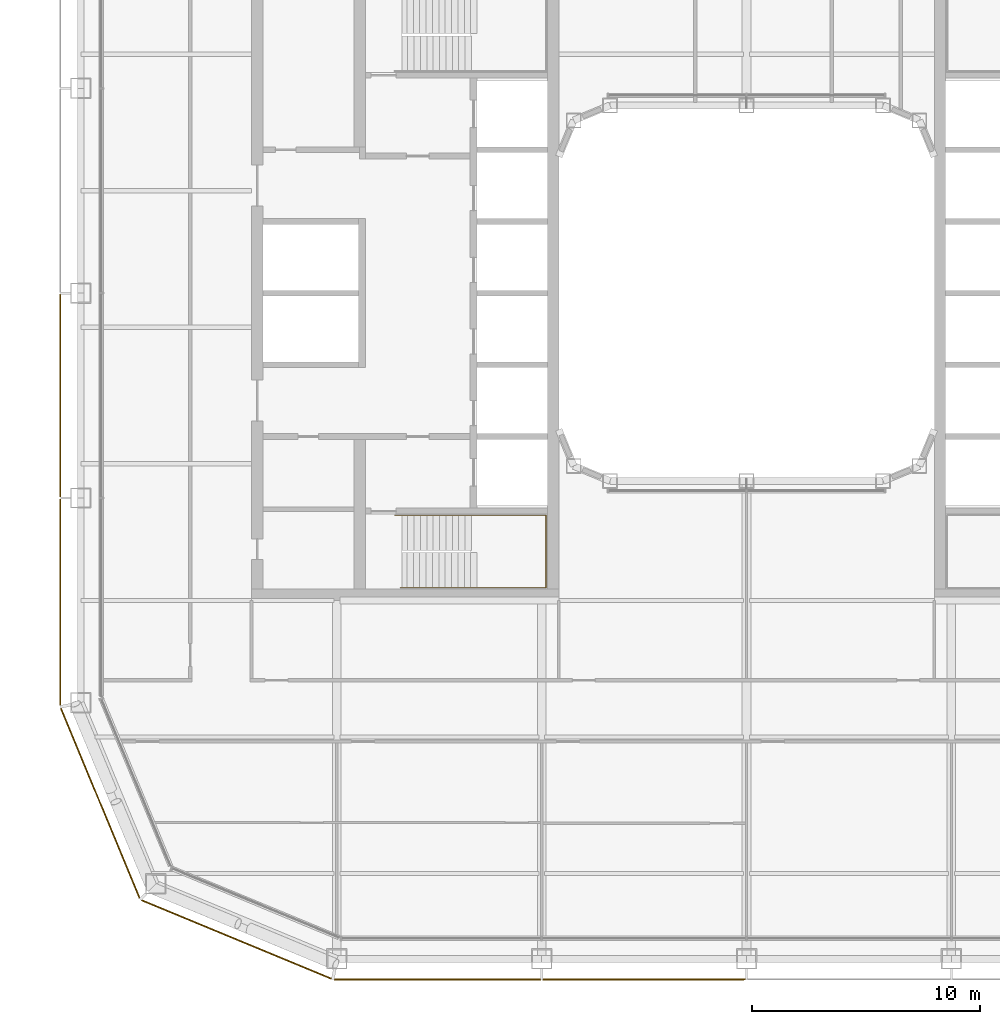
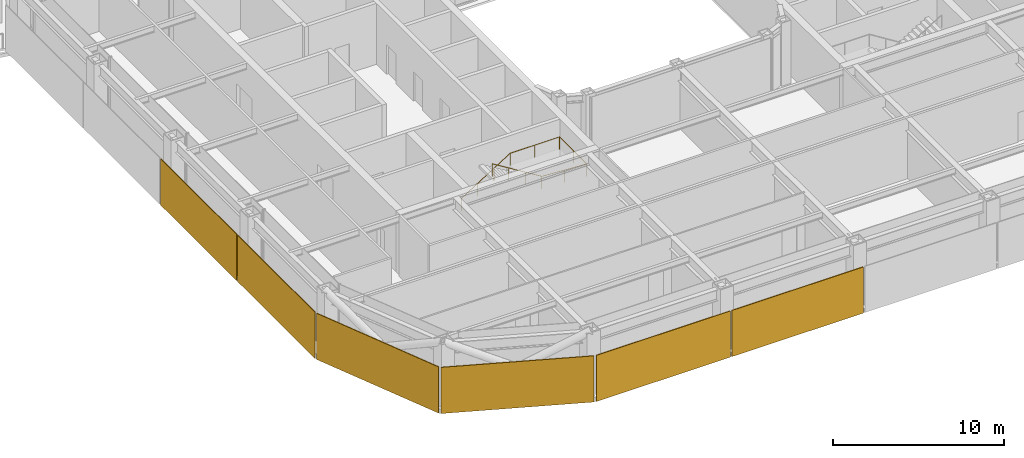
# One storey, part 18 of 23: 6 coverings, 1 railing.
"""IFC4 building model written with IfcOpenShell, lengths in metres."""

from ifc_helpers import new_model, si_unit, direction, frame, origin, origin_2d, place, context, subcontext, project, spatial, rectangle, circle, extrude, material, layer, layer_set, type_object, element, save


model = new_model("IFC4")

# Units and contexts
model_context = context("Model", 3, precision=1e-05, world=origin(), true_north=direction((0.0, 1.0)))
body_context = subcontext(model_context, "Body", "Model", "MODEL_VIEW")
ifc_project = project(units=[si_unit("LENGTHUNIT", "METRE"), si_unit("AREAUNIT", "SQUARE_METRE"), si_unit("VOLUMEUNIT", "CUBIC_METRE"), si_unit("PLANEANGLEUNIT", "RADIAN"), si_unit("MASSUNIT", "GRAM", prefix="KILO")], contexts=[model_context])

# Site, building, storey
site_placement = place(None, origin())
site = spatial("IfcSite", under=ifc_project, at=site_placement, CompositionType="ELEMENT")
building_placement = place(site_placement, origin())
building = spatial("IfcBuilding", under=site, at=building_placement, Name="Siwar Civic Tower", CompositionType="ELEMENT")
storey_placement = place(building_placement, frame((0.0, 0.0, 154.199951171875)))
storey = spatial("IfcBuildingStorey", under=building, at=storey_placement, Name="L33", CompositionType="ELEMENT", Elevation=154.199951171875)

# Railing
ifc_material_1 = material(Name="Stainless steel", Category="steel")
railing_type = type_object("IfcRailingType", Name="CORE-STAIR-HANDRAIL", PredefinedType="HANDRAIL", material=ifc_material_1)
railing_placement = place(storey_placement, frame((-15.449951171875, -9.758056640625, 0.173095703125)))
element("IfcRailing", 1, at=railing_placement, inside=storey, type_object=railing_type, Name="Stair handrail ST2", PredefinedType="HANDRAIL", context=body_context, shape_type="SweptSolid", body=[
    extrude(circle(Radius=0.02001953125, at=origin_2d()), frame((0.0, 0.0, 0.8798828125), z_axis=(0.847063342986, 0.0, 0.531491950051), x_axis=(0.0, 1.0, 0.0)), (0.0, 0.0, 1.0), 3.90771484375),
    extrude(circle(Radius=0.02001953125, at=origin_2d()), frame((3.31005859375, 0.0, 2.956787109375), z_axis=(1.0, 0.0, 0.0), x_axis=(0.0, 1.0, 0.0)), (0.0, 0.0, 1.0), 3.331787109375),
    extrude(circle(Radius=0.02001953125, at=origin_2d()), frame((6.641845703125, 0.0, 2.956787109375), z_axis=(0.0, -1.0, 0.0), x_axis=(1.0, 0.0, 0.0)), (0.0, 0.0, 1.0), 3.183837890625),
    extrude(circle(Radius=0.02001953125, at=origin_2d()), frame((6.641845703125, -3.183837890625, 2.956787109375), z_axis=(-0.99837434197, 0.0, 0.056997134106), x_axis=(0.0, -1.0, 0.0)), (0.0, 0.0, 1.0), 3.036865234375),
    extrude(circle(Radius=0.02001953125, at=origin_2d()), frame((3.60986328125, -3.183837890625, 3.1298828125), z_axis=(-0.850606129759, 0.0, 0.525803396734), x_axis=(0.0, -1.0, 0.0)), (0.0, 0.0, 1.0), 3.949951171875),
    extrude(circle(Radius=0.02001953125, at=origin_2d()), origin(), (0.0, 0.0, 1.0), 0.85986328125),
    extrude(circle(Radius=0.02001953125, at=origin_2d()), frame((1.103271484375, 0.0, 0.6923828125)), (0.0, 0.0, 1.0), 0.85986328125),
    extrude(circle(Radius=0.02001953125, at=origin_2d()), frame((2.206787109375, 0.0, 1.384521484375)), (0.0, 0.0, 1.0), 0.85986328125),
    extrude(circle(Radius=0.02001953125, at=origin_2d()), frame((3.31005859375, 0.0, 2.076904296875)), (0.0, 0.0, 1.0), 0.85986328125),
    extrude(circle(Radius=0.02001953125, at=origin_2d()), frame((4.97607421875, 0.0, 2.076904296875)), (0.0, 0.0, 1.0), 0.85986328125),
    extrude(circle(Radius=0.02001953125, at=origin_2d()), frame((6.641845703125, 0.0, 2.076904296875)), (0.0, 0.0, 1.0), 0.85986328125),
    extrude(circle(Radius=0.02001953125, at=origin_2d()), frame((6.641845703125, -1.591796875, 2.076904296875)), (0.0, 0.0, 1.0), 0.85986328125),
    extrude(circle(Radius=0.02001953125, at=origin_2d()), frame((6.641845703125, -3.183837890625, 2.076904296875)), (0.0, 0.0, 1.0), 0.85986328125),
    extrude(circle(Radius=0.02001953125, at=origin_2d()), frame((5.1259765625, -3.183837890625, 2.16357421875)), (0.0, 0.0, 1.0), 0.85986328125),
    extrude(circle(Radius=0.02001953125, at=origin_2d()), frame((3.60986328125, -3.183837890625, 2.25)), (0.0, 0.0, 1.0), 0.85986328125),
    extrude(circle(Radius=0.02001953125, at=origin_2d()), frame((2.489990234375, -3.183837890625, 2.9423828125)), (0.0, 0.0, 1.0), 0.85986328125),
    extrude(circle(Radius=0.02001953125, at=origin_2d()), frame((1.369873046875, -3.183837890625, 3.634521484375)), (0.0, 0.0, 1.0), 0.85986328125),
    extrude(circle(Radius=0.02001953125, at=origin_2d()), frame((0.25, -3.183837890625, 4.326904296875)), (0.0, 0.0, 1.0), 0.85986328125),
])

# Coverings
ifc_material_2 = material(Name="Perforated aluminium cassette, pale metal", Category="aluminium")
ifc_layer_1 = layer(ifc_material_2, 0.050048828125)
ifc_layer_set_1 = layer_set([ifc_layer_1], Name="Perforated aluminium cassette, pale metal")
covering_type_1 = type_object("IfcCoveringType", Name="ENV-OUTER SKIN OS-3", PredefinedType="CLADDING", material=ifc_layer_set_1)
covering_1_placement = place(storey_placement, frame((-30.14990234375, -4.5, -0.14990234375), z_axis=(0.0, 0.0, 1.0), x_axis=(0.0, -1.0, 0.0)))
element("IfcCovering", 2, at=covering_1_placement, inside=storey, type_object=covering_type_1, Name="OUTER SKIN OS-3 W 3", PredefinedType="CLADDING", context=body_context, shape_type="SweptSolid", body=[
    extrude(rectangle(XDim=8.89990234375, YDim=0.050048828125, at=origin_2d()), origin(), (0.0, 0.0, 1.0), 3.300048828125),
])
covering_2_placement = place(storey_placement, frame((-30.14990234375, -13.57958984375, -0.14990234375), z_axis=(0.0, 0.0, 1.0), x_axis=(0.0, -1.0, 0.0)))
element("IfcCovering", 3, at=covering_2_placement, inside=storey, type_object=covering_type_1, Name="OUTER SKIN OS-3 W 4", PredefinedType="CLADDING", context=body_context, shape_type="SweptSolid", body=[
    extrude(rectangle(XDim=9.05908203125, YDim=0.050048828125, at=origin_2d()), origin(), (0.0, 0.0, 1.0), 3.300048828125),
])
ifc_material_3 = material(Name="Perforated aluminium cassette, pale metal", Category="aluminium")
ifc_layer_2 = layer(ifc_material_3, 0.054931640625)
ifc_layer_set_2 = layer_set([ifc_layer_2], Name="Perforated aluminium cassette, pale metal")
covering_type_2 = type_object("IfcCoveringType", Name="ENV-OUTER SKIN OS-4", PredefinedType="CLADDING", material=ifc_layer_set_2)
covering_3_placement = place(storey_placement, frame((-13.57958984375, -30.14990234375, -0.14990234375), z_axis=(0.0, 0.0, 1.0), x_axis=(1.0, 0.0, 0.0)))
element("IfcCovering", 4, at=covering_3_placement, inside=storey, type_object=covering_type_2, Name="OUTER SKIN OS-4 S 1", PredefinedType="CLADDING", context=body_context, shape_type="SweptSolid", body=[
    extrude(rectangle(XDim=9.05908203125, YDim=0.054931640625, at=origin_2d()), origin(), (0.0, 0.0, 1.0), 3.300048828125),
])
covering_4_placement = place(storey_placement, frame((-4.5, -30.14990234375, -0.14990234375), z_axis=(0.0, 0.0, 1.0), x_axis=(1.0, 0.0, 0.0)))
element("IfcCovering", 5, at=covering_4_placement, inside=storey, type_object=covering_type_2, Name="OUTER SKIN OS-4 S 2", PredefinedType="CLADDING", context=body_context, shape_type="SweptSolid", body=[
    extrude(rectangle(XDim=8.89990234375, YDim=0.054931640625, at=origin_2d()), origin(), (0.0, 0.0, 1.0), 3.300048828125),
])
for number, where, z_axis, x_axis, name in (
    (6, (-28.39697265625, -22.411376953125, -0.14990234375), (0.0, 0.0, 1.0), (0.382683432365, -0.923879532511, 0.0), "OUTER SKIN OS-4 SW1 1"),
    (7, (-22.411376953125, -28.39697265625, -0.14990234375), (0.0, 0.0, 1.0), (0.923879532511, -0.382683432365, 0.0), "OUTER SKIN OS-4 SW2 1"),
):
    element("IfcCovering", number, at=place(storey_placement, frame(where, z_axis=z_axis, x_axis=x_axis)), inside=storey, type_object=covering_type_2, Name=name, PredefinedType="CLADDING", context=body_context, shape_type="SweptSolid", body=[
        extrude(rectangle(XDim=9.022216796875, YDim=0.054931640625, at=origin_2d()), origin(), (0.0, 0.0, 1.0), 3.300048828125),
    ])

save(model, "model.ifc")
